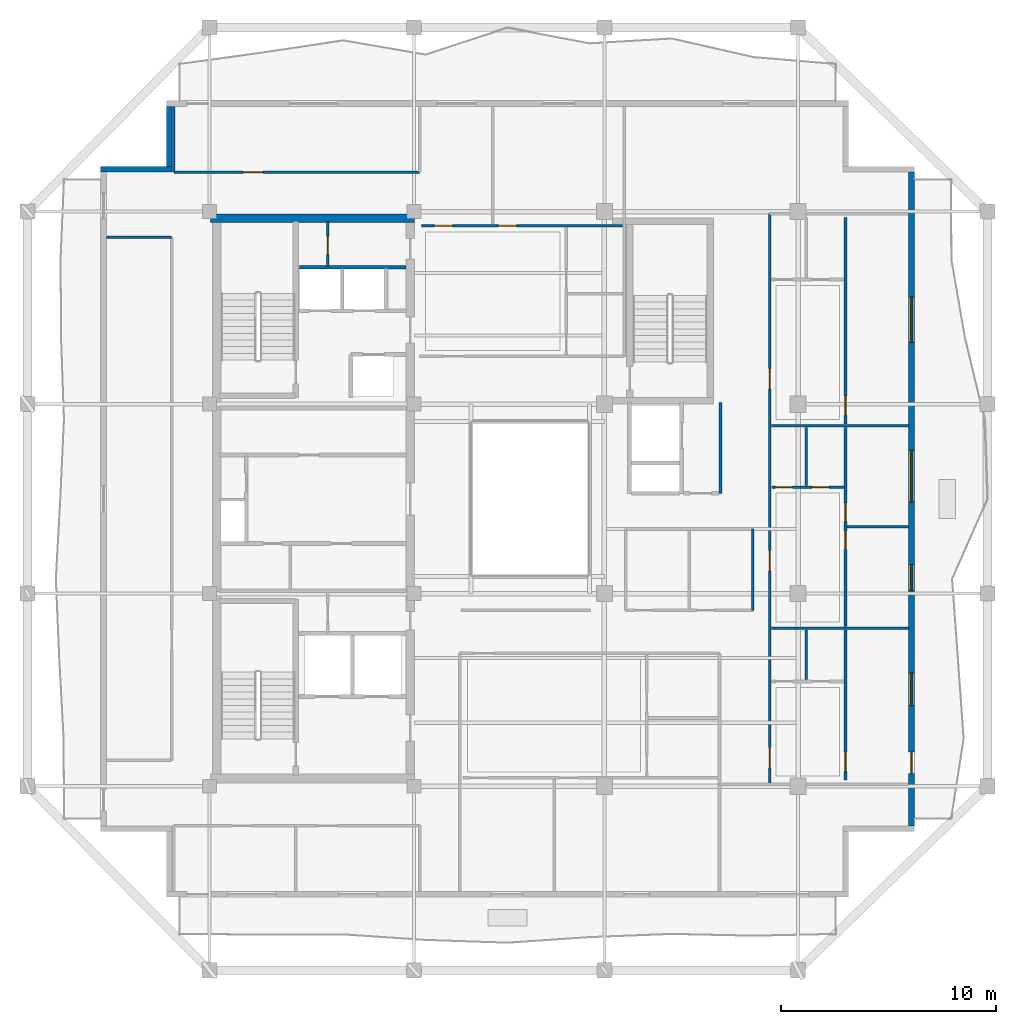
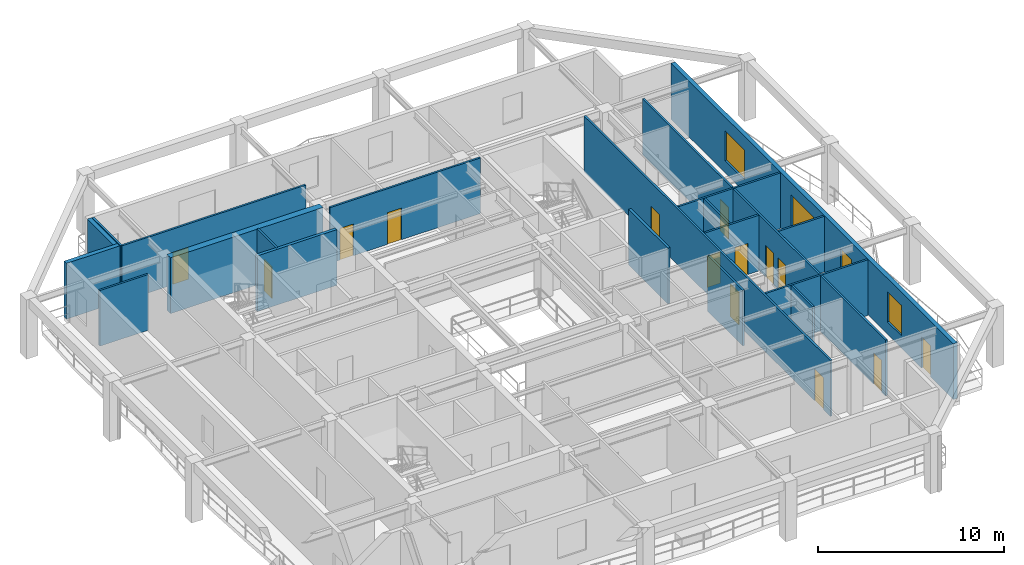
# One storey, part 5 of 10: 22 walls, 14 doors, 4 windows, 18 openings.
"""IFC4 building model written with IfcOpenShell, lengths in metres."""

from ifc_helpers import new_model, si_unit, direction, frame, frame_2d, origin, place, context, subcontext, project, spatial, rectangle, extrude, material, layer, layer_set, type_object, element, fill, save


model = new_model("IFC4")

# Units and contexts
model_context = context("Model", 3, precision=1e-05, world=origin(), true_north=direction((0.0, 1.0)))
body_context = subcontext(model_context, "Body", "Model", "MODEL_VIEW")
ifc_project = project(units=[si_unit("LENGTHUNIT", "METRE"), si_unit("AREAUNIT", "SQUARE_METRE"), si_unit("VOLUMEUNIT", "CUBIC_METRE"), si_unit("PLANEANGLEUNIT", "RADIAN"), si_unit("MASSUNIT", "GRAM", prefix="KILO")], contexts=[model_context])

# Site, building, storey
site_placement = place(None, origin())
site = spatial("IfcSite", under=ifc_project, at=site_placement, CompositionType="ELEMENT")
building_placement = place(site_placement, origin())
building = spatial("IfcBuilding", under=site, at=building_placement, Name="Kundavana Baori Tower", CompositionType="ELEMENT")
storey_placement = place(building_placement, frame((0.0, 0.0, 288.199951171875)))
storey = spatial("IfcBuildingStorey", under=building, at=storey_placement, Name="L71", CompositionType="ELEMENT", Elevation=288.199951171875)

# Wall
ifc_material_1 = material(Name="Concrete C50/60", Category="concrete")
ifc_layer_1 = layer(ifc_material_1, 0.39990234375, Name="WL-CORE-400")
ifc_layer_set_1 = layer_set([ifc_layer_1], Name="Concrete C50/60")
wall_type_1 = type_object("IfcWallType", Name="WL-CORE-400", PredefinedType="SHEAR", material=ifc_layer_set_1)
wall_1_placement = place(storey_placement, frame((15.5, 41.639892578125, 0.0), z_axis=(0.0, 0.0, 1.0), x_axis=(1.0, 0.0, 0.0)))
element("IfcWall", 1, at=wall_1_placement, inside=storey, type_object=wall_type_1, Name="L71 Offset Core North Shear Wall", PredefinedType="SHEAR", context=body_context, shape_type="SweptSolid", body=[
    extrude(rectangle(XDim=9.47998046875, YDim=0.39990234375, at=frame_2d((4.739990234375, 0.0))), origin(), (0.0, 0.0, 1.0), 3.66015625),
])

# Wall, openings, door, windows
ifc_material_2 = material(Name="Kiln-Fired Terracotta Brick-Slip Masonry on Concrete C40/50", Category="masonry")
ifc_layer_2 = layer(ifc_material_2, 0.260009765625, Name="WL-EXT-BRK-260")
ifc_layer_set_2 = layer_set([ifc_layer_2], Name="Kiln-Fired Terracotta Brick-Slip Masonry on Concrete C40/50")
wall_type_2 = type_object("IfcWallType", Name="WL-EXT-BRK-260", PredefinedType="SOLIDWALL", material=ifc_layer_set_2)
wall_2_placement = place(storey_placement, frame((48.070068359375, 13.409912109375, 0.0), z_axis=(0.0, 0.0, 1.0), x_axis=(0.0, 1.0, 0.0)))
wall_2 = element("IfcWall", 2, at=wall_2_placement, inside=storey, type_object=wall_type_2, Name="L71 Exterior Insulated Facade Wall 04", PredefinedType="SOLIDWALL", context=body_context, shape_type="SweptSolid", body=[
    extrude(rectangle(XDim=30.380126953125, YDim=0.260009765625, at=frame_2d((15.18994140625, 0.0))), origin(), (0.0, 0.0, 1.0), 3.66015625),
])
opening_1_placement = place(wall_2_placement, frame((2.429931640625, 0.0, 0.0)))
opening_1 = element("IfcOpeningElement", 3, at=opening_1_placement, cuts=wall_2, Name="Opening BD-1", PredefinedType="OPENING", context=body_context, shape_type="SweptSolid", body=[
    extrude(rectangle(XDim=1.0, YDim=2.050048828125, at=frame_2d((0.5, 1.02490234375))), frame((0.0, 0.14013671875, 0.0), z_axis=(0.0, -1.0, 0.0), x_axis=(1.0, 0.0, 0.0)), (0.0, 0.0, 1.0), 0.280029296875),
])
opening_2_placement = place(wall_2_placement, frame((5.590087890625, 0.0, 0.800048828125)))
opening_2 = element("IfcOpeningElement", 4, at=opening_2_placement, cuts=wall_2, Name="Opening W-02", PredefinedType="OPENING", context=body_context, shape_type="SweptSolid", body=[
    extrude(rectangle(XDim=1.5, YDim=2.0, at=frame_2d((0.75, 1.0))), frame((0.0, 0.14013671875, 0.0), z_axis=(0.0, -1.0, 0.0), x_axis=(1.0, 0.0, 0.0)), (0.0, 0.0, 1.0), 0.280029296875),
])
opening_3_placement = place(wall_2_placement, frame((10.93994140625, 0.0, 0.800048828125)))
opening_3 = element("IfcOpeningElement", 5, at=opening_3_placement, cuts=wall_2, Name="Opening W-03", PredefinedType="OPENING", context=body_context, shape_type="SweptSolid", body=[
    extrude(rectangle(XDim=1.199951171875, YDim=1.75, at=frame_2d((0.60009765625, 0.875))), frame((0.0, 0.14013671875, 0.0), z_axis=(0.0, -1.0, 0.0), x_axis=(1.0, 0.0, 0.0)), (0.0, 0.0, 1.0), 0.280029296875),
])
opening_4_placement = place(wall_2_placement, frame((15.0400390625, 0.0, 0.800048828125)))
opening_4 = element("IfcOpeningElement", 6, at=opening_4_placement, cuts=wall_2, Name="Opening W-04", PredefinedType="OPENING", context=body_context, shape_type="SweptSolid", body=[
    extrude(rectangle(XDim=2.39990234375, YDim=2.050048828125, at=frame_2d((1.199951171875, 1.02490234375))), frame((0.0, 0.14013671875, 0.0), z_axis=(0.0, -1.0, 0.0), x_axis=(1.0, 0.0, 0.0)), (0.0, 0.0, 1.0), 0.280029296875),
])
opening_5_placement = place(wall_2_placement, frame((22.465087890625, 0.0, 0.800048828125)))
opening_5 = element("IfcOpeningElement", 7, at=opening_5_placement, cuts=wall_2, Name="Opening W-05", PredefinedType="OPENING", context=body_context, shape_type="SweptSolid", body=[
    extrude(rectangle(XDim=2.10009765625, YDim=1.949951171875, at=frame_2d((1.050048828125, 0.97509765625))), frame((0.0, 0.14013671875, 0.0), z_axis=(0.0, -1.0, 0.0), x_axis=(1.0, 0.0, 0.0)), (0.0, 0.0, 1.0), 0.280029296875),
])
ifc_material_3 = material(Name="Architectural Patinated Bronze Metalwork")
door_type_1 = type_object("IfcDoorType", Name="DR-EXT-LOG-1000", OperationType="NOTDEFINED", PredefinedType="DOOR", material=ifc_material_3)
door_1_placement = place(opening_1_placement, frame((1.0, 0.0, 0.0), z_axis=(0.0, 0.0, 1.0), x_axis=(-1.0, 0.0, 0.0)))
door_1 = element("IfcDoor", 8, at=door_1_placement, inside=storey, type_object=door_type_1, Name="L71 Loggia Balcony Access Door E", OperationType="SINGLE_SWING_RIGHT", OverallHeight=2.050048828125, OverallWidth=1.0, PredefinedType="DOOR", context=body_context, shape_type="SweptSolid", body=[
    extrude(rectangle(XDim=1.0, YDim=2.050048828125, at=frame_2d((0.5, 1.02490234375))), frame((0.0, 0.02490234375, 0.0), z_axis=(0.0, -1.0, 0.0), x_axis=(1.0, 0.0, 0.0)), (0.0, 0.0, 1.0), 0.050048828125),
])
fill(opening_1, door_1)
ifc_material_4 = material(Name="Double-Glazed Solar-Control Low-E Insulated Glass", Category="glass")
window_type_1 = type_object("IfcWindowType", Name="WIN-LOG-1200x1750", PartitioningType="SINGLE_PANEL", PredefinedType="WINDOW", material=ifc_material_4)
window_1_placement = place(opening_3_placement, origin())
window_1 = element("IfcWindow", 9, at=window_1_placement, inside=storey, type_object=window_type_1, Name="L71 Recessed Loggia Window E-2", OverallHeight=1.75, OverallWidth=1.199951171875, PartitioningType="SINGLE_PANEL", PredefinedType="WINDOW", context=body_context, shape_type="SweptSolid", body=[
    extrude(rectangle(XDim=1.199951171875, YDim=1.75, at=frame_2d((0.60009765625, 0.875))), frame((0.0, 0.030029296875, 0.0), z_axis=(0.0, -1.0, 0.0), x_axis=(1.0, 0.0, 0.0)), (0.0, 0.0, 1.0), 0.06005859375),
])
fill(opening_3, window_1)
ifc_material_5 = material(Name="Double-Glazed Solar-Control Low-E Insulated Glass", Category="glass")
window_type_2 = type_object("IfcWindowType", Name="WIN-LOG-1500x2000", PartitioningType="SINGLE_PANEL", PredefinedType="WINDOW", material=ifc_material_5)
window_2_placement = place(opening_2_placement, origin())
window_2 = element("IfcWindow", 10, at=window_2_placement, inside=storey, type_object=window_type_2, Name="L71 Recessed Loggia Window E-1", OverallHeight=2.0, OverallWidth=1.5, PartitioningType="SINGLE_PANEL", PredefinedType="WINDOW", context=body_context, shape_type="SweptSolid", body=[
    extrude(rectangle(XDim=1.5, YDim=2.0, at=frame_2d((0.75, 1.0))), frame((0.0, 0.030029296875, 0.0), z_axis=(0.0, -1.0, 0.0), x_axis=(1.0, 0.0, 0.0)), (0.0, 0.0, 1.0), 0.06005859375),
])
fill(opening_2, window_2)
ifc_material_6 = material(Name="Double-Glazed Solar-Control Low-E Insulated Glass", Category="glass")
window_type_3 = type_object("IfcWindowType", Name="WIN-LOG-2100x1950", PartitioningType="SINGLE_PANEL", PredefinedType="WINDOW", material=ifc_material_6)
window_3_placement = place(opening_5_placement, origin())
window_3 = element("IfcWindow", 11, at=window_3_placement, inside=storey, type_object=window_type_3, Name="L71 Recessed Loggia Window E-4", OverallHeight=1.949951171875, OverallWidth=2.10009765625, PartitioningType="SINGLE_PANEL", PredefinedType="WINDOW", context=body_context, shape_type="SweptSolid", body=[
    extrude(rectangle(XDim=2.10009765625, YDim=1.949951171875, at=frame_2d((1.050048828125, 0.97509765625))), frame((0.0, 0.030029296875, 0.0), z_axis=(0.0, -1.0, 0.0), x_axis=(1.0, 0.0, 0.0)), (0.0, 0.0, 1.0), 0.06005859375),
])
fill(opening_5, window_3)
ifc_material_7 = material(Name="Double-Glazed Solar-Control Low-E Insulated Glass", Category="glass")
window_type_4 = type_object("IfcWindowType", Name="WIN-LOG-2400x2050", PartitioningType="SINGLE_PANEL", PredefinedType="WINDOW", material=ifc_material_7)
window_4_placement = place(opening_4_placement, origin())
window_4 = element("IfcWindow", 12, at=window_4_placement, inside=storey, type_object=window_type_4, Name="L71 Recessed Loggia Window E-3", OverallHeight=2.050048828125, OverallWidth=2.39990234375, PartitioningType="SINGLE_PANEL", PredefinedType="WINDOW", context=body_context, shape_type="SweptSolid", body=[
    extrude(rectangle(XDim=2.39990234375, YDim=2.050048828125, at=frame_2d((1.199951171875, 1.02490234375))), frame((0.0, 0.030029296875, 0.0), z_axis=(0.0, -1.0, 0.0), x_axis=(1.0, 0.0, 0.0)), (0.0, 0.0, 1.0), 0.06005859375),
])
fill(opening_4, window_4)

# Walls
wall_3_placement = place(storey_placement, frame((13.580078125, 46.840087890625, 0.0), z_axis=(0.0, 0.0, 1.0), x_axis=(0.0, -1.0, 0.0)))
element("IfcWall", 13, at=wall_3_placement, inside=storey, type_object=wall_type_2, Name="L71 Exterior Insulated Facade Wall 08", PredefinedType="SOLIDWALL", context=body_context, shape_type="SweptSolid", body=[
    extrude(rectangle(XDim=2.7900390625, YDim=0.260009765625, at=frame_2d((1.39501953125, 0.0))), origin(), (0.0, 0.0, 1.0), 3.66015625),
])
wall_4_placement = place(storey_placement, frame((13.7099609375, 43.919921875, 0.0), z_axis=(0.0, 0.0, 1.0), x_axis=(-1.0, 0.0, 0.0)))
element("IfcWall", 14, at=wall_4_placement, inside=storey, type_object=wall_type_2, Name="L71 Exterior Insulated Facade Wall 09", PredefinedType="SOLIDWALL", context=body_context, shape_type="SweptSolid", body=[
    extrude(rectangle(XDim=3.31005859375, YDim=0.260009765625, at=frame_2d((1.655029296875, 0.0))), origin(), (0.0, 0.0, 1.0), 3.66015625),
])

# Wall, opening, door
ifc_material_8 = material(Name="Acoustic Gypsum Plasterboard on Galvanised Steel Studs", Category="steel")
ifc_layer_3 = layer(ifc_material_8, 0.1201171875, Name="WL-PART-120")
ifc_layer_set_3 = layer_set([ifc_layer_3], Name="Acoustic Gypsum Plasterboard on Galvanised Steel Studs")
wall_type_3 = type_object("IfcWallType", Name="WL-PART-120", PredefinedType="PARTITIONING", material=ifc_layer_set_3)
wall_5_placement = place(storey_placement, frame((20.949951171875, 39.39990234375, 0.0), z_axis=(0.0, 0.0, 1.0), x_axis=(0.0, 1.0, 0.0)))
wall_5 = element("IfcWall", 15, at=wall_5_placement, inside=storey, type_object=wall_type_3, Name="WL-L71-CSRV-D2", PredefinedType="PARTITIONING", context=body_context, shape_type="SweptSolid", body=[
    extrude(rectangle(XDim=2.080078125, YDim=0.1201171875, at=frame_2d((1.0400390625, 0.0))), origin(), (0.0, 0.0, 1.0), 3.66015625),
])
opening_6_placement = place(wall_5_placement, frame((0.550048828125, 0.0, 0.0)))
opening_6 = element("IfcOpeningElement", 16, at=opening_6_placement, cuts=wall_5, Name="Opening FD-085", PredefinedType="OPENING", context=body_context, shape_type="SweptSolid", body=[
    extrude(rectangle(XDim=0.85009765625, YDim=2.06005859375, at=frame_2d((0.425048828125, 1.030029296875))), frame((0.0, 0.070068359375, 0.0), z_axis=(0.0, -1.0, 0.0), x_axis=(1.0, 0.0, 0.0)), (0.0, 0.0, 1.0), 0.14013671875),
])
ifc_material_9 = material(Name="Galvanised Steel Fire-Rated Door Leaf", Category="steel")
door_type_2 = type_object("IfcDoorType", Name="DR-FD60-850", OperationType="NOTDEFINED", PredefinedType="DOOR", material=ifc_material_9)
door_2_placement = place(opening_6_placement, origin())
door_2 = element("IfcDoor", 17, at=door_2_placement, inside=storey, type_object=door_type_2, Name="DR-L71-CSRV1", OperationType="SINGLE_SWING_RIGHT", OverallHeight=2.06005859375, OverallWidth=0.85009765625, PredefinedType="DOOR", context=body_context, shape_type="SweptSolid", body=[
    extrude(rectangle(XDim=0.85009765625, YDim=2.06005859375, at=frame_2d((0.425048828125, 1.030029296875))), frame((0.0, 0.02490234375, 0.0), z_axis=(0.0, -1.0, 0.0), x_axis=(1.0, 0.0, 0.0)), (0.0, 0.0, 1.0), 0.050048828125),
])
fill(opening_6, door_2)

wall_6_placement = place(storey_placement, frame((13.800048828125, 43.780029296875, 0.0), z_axis=(0.0, 0.0, 1.0), x_axis=(1.0, 0.0, 0.0)))
wall_6 = element("IfcWall", 18, at=wall_6_placement, inside=storey, type_object=wall_type_3, Name="WL-L71-RNC", PredefinedType="PARTITIONING", context=body_context, shape_type="SweptSolid", body=[
    extrude(rectangle(XDim=11.419921875, YDim=0.1201171875, at=frame_2d((5.7099609375, 0.0))), origin(), (0.0, 0.0, 1.0), 3.66015625),
])
opening_7_placement = place(wall_6_placement, frame((3.199951171875, 0.0, 0.0)))
opening_7 = element("IfcOpeningElement", 19, at=opening_7_placement, cuts=wall_6, Name="Opening ID-095", PredefinedType="OPENING", context=body_context, shape_type="SweptSolid", body=[
    extrude(rectangle(XDim=0.949951171875, YDim=2.080078125, at=frame_2d((0.47509765625, 1.0400390625))), frame((0.0, 0.070068359375, 0.0), z_axis=(0.0, -1.0, 0.0), x_axis=(1.0, 0.0, 0.0)), (0.0, 0.0, 1.0), 0.14013671875),
])
ifc_material_10 = material(Name="Engineered Teak Solid-Core Timber Veneer", Category="wood")
door_type_3 = type_object("IfcDoorType", Name="DR-INT-950", OperationType="NOTDEFINED", PredefinedType="DOOR", material=ifc_material_10)
door_3_placement = place(opening_7_placement, origin())
door_3 = element("IfcDoor", 20, at=door_3_placement, inside=storey, type_object=door_type_3, Name="DR-L71-RMNW", OperationType="SINGLE_SWING_RIGHT", OverallHeight=2.080078125, OverallWidth=0.949951171875, PredefinedType="DOOR", context=body_context, shape_type="SweptSolid", body=[
    extrude(rectangle(XDim=0.949951171875, YDim=2.080078125, at=frame_2d((0.47509765625, 1.0400390625))), frame((0.0, 0.02490234375, 0.0), z_axis=(0.0, -1.0, 0.0), x_axis=(1.0, 0.0, 0.0)), (0.0, 0.0, 1.0), 0.050048828125),
])
fill(opening_7, door_3)

# Walls
wall_7_placement = place(storey_placement, frame((13.800048828125, 43.780029296875, 0.0), z_axis=(0.0, 0.0, 1.0), x_axis=(0.0, 1.0, 0.0)))
element("IfcWall", 21, at=wall_7_placement, inside=storey, type_object=wall_type_3, Name="WL-L71-RNCW", PredefinedType="PARTITIONING", context=body_context, shape_type="SweptSolid", body=[
    extrude(rectangle(XDim=3.0400390625, YDim=0.1201171875, at=frame_2d((1.52001953125, 0.0))), origin(), (0.0, 0.0, 1.0), 3.66015625),
])
wall_8_placement = place(storey_placement, frame((10.679931640625, 40.75, 0.0), z_axis=(0.0, 0.0, 1.0), x_axis=(1.0, 0.0, 0.0)))
element("IfcWall", 22, at=wall_8_placement, inside=storey, type_object=wall_type_3, Name="WL-L71-RWN", PredefinedType="PARTITIONING", context=body_context, shape_type="SweptSolid", body=[
    extrude(rectangle(XDim=3.02001953125, YDim=0.1201171875, at=frame_2d((1.510009765625, 0.0))), origin(), (0.0, 0.0, 1.0), 3.66015625),
])

# Wall, openings, doors
wall_9_placement = place(storey_placement, frame((25.300048828125, 41.2900390625, 0.0), z_axis=(0.0, 0.0, 1.0), x_axis=(1.0, 0.0, 0.0)))
wall_9 = element("IfcWall", 23, at=wall_9_placement, inside=storey, type_object=wall_type_3, Name="WL-L71-N1-HZ", PredefinedType="PARTITIONING", context=body_context, shape_type="SweptSolid", body=[
    extrude(rectangle(XDim=9.33984375, YDim=0.1201171875, at=frame_2d((4.669921875, 0.0))), origin(), (0.0, 0.0, 1.0), 3.66015625),
])
opening_8_placement = place(wall_9_placement, frame((0.60009765625, 0.0, 0.0)))
opening_8 = element("IfcOpeningElement", 24, at=opening_8_placement, cuts=wall_9, Name="Opening ID-085", PredefinedType="OPENING", context=body_context, shape_type="SweptSolid", body=[
    extrude(rectangle(XDim=0.85009765625, YDim=2.080078125, at=frame_2d((0.425048828125, 1.0400390625))), frame((0.0, 0.070068359375, 0.0), z_axis=(0.0, -1.0, 0.0), x_axis=(1.0, 0.0, 0.0)), (0.0, 0.0, 1.0), 0.14013671875),
])
opening_9_placement = place(wall_9_placement, frame((3.572998046875, 0.0, 0.0)))
opening_9 = element("IfcOpeningElement", 25, at=opening_9_placement, cuts=wall_9, Name="Opening ID-085", PredefinedType="OPENING", context=body_context, shape_type="SweptSolid", body=[
    extrude(rectangle(XDim=0.85009765625, YDim=2.080078125, at=frame_2d((0.425048828125, 1.0400390625))), frame((0.0, 0.070068359375, 0.0), z_axis=(0.0, -1.0, 0.0), x_axis=(1.0, 0.0, 0.0)), (0.0, 0.0, 1.0), 0.14013671875),
])
ifc_material_11 = material(Name="Engineered Teak Solid-Core Timber Veneer", Category="wood")
door_type_4 = type_object("IfcDoorType", Name="DR-INT-850", OperationType="NOTDEFINED", PredefinedType="DOOR", material=ifc_material_11)
door_4_placement = place(opening_8_placement, origin())
door_4 = element("IfcDoor", 26, at=door_4_placement, inside=storey, type_object=door_type_4, Name="DR-L71-N1-B1", OperationType="SINGLE_SWING_LEFT", OverallHeight=2.080078125, OverallWidth=0.85009765625, PredefinedType="DOOR", context=body_context, shape_type="SweptSolid", body=[
    extrude(rectangle(XDim=0.85009765625, YDim=2.080078125, at=frame_2d((0.425048828125, 1.0400390625))), frame((0.0, 0.02490234375, 0.0), z_axis=(0.0, -1.0, 0.0), x_axis=(1.0, 0.0, 0.0)), (0.0, 0.0, 1.0), 0.050048828125),
])
fill(opening_8, door_4)
door_5_placement = place(opening_9_placement, origin())
door_5 = element("IfcDoor", 27, at=door_5_placement, inside=storey, type_object=door_type_4, Name="DR-L71-N1-B2", OperationType="SINGLE_SWING_RIGHT", OverallHeight=2.080078125, OverallWidth=0.85009765625, PredefinedType="DOOR", context=body_context, shape_type="SweptSolid", body=[
    extrude(rectangle(XDim=0.85009765625, YDim=2.080078125, at=frame_2d((0.425048828125, 1.0400390625))), frame((0.0, 0.02490234375, 0.0), z_axis=(0.0, -1.0, 0.0), x_axis=(1.0, 0.0, 0.0)), (0.0, 0.0, 1.0), 0.050048828125),
])
fill(opening_9, door_5)

wall_10_placement = place(storey_placement, frame((41.47998046875, 15.35009765625, 0.0), z_axis=(0.0, 0.0, 1.0), x_axis=(0.0, 1.0, 0.0)))
wall_10 = element("IfcWall", 28, at=wall_10_placement, inside=storey, type_object=wall_type_3, Name="WL-L71-RE", PredefinedType="PARTITIONING", context=body_context, shape_type="SweptSolid", body=[
    extrude(rectangle(XDim=26.5, YDim=0.1201171875, at=frame_2d((13.25, 0.0))), origin(), (0.0, 0.0, 1.0), 3.66015625),
])
opening_10_placement = place(wall_10_placement, frame((0.75, 0.0, 0.0)))
opening_10 = element("IfcOpeningElement", 29, at=opening_10_placement, cuts=wall_10, Name="Opening FD-095", PredefinedType="OPENING", context=body_context, shape_type="SweptSolid", body=[
    extrude(rectangle(XDim=0.949951171875, YDim=2.10009765625, at=frame_2d((0.47509765625, 1.050048828125))), frame((0.0, 0.070068359375, 0.0), z_axis=(0.0, -1.0, 0.0), x_axis=(1.0, 0.0, 0.0)), (0.0, 0.0, 1.0), 0.14013671875),
])
opening_11_placement = place(wall_10_placement, frame((9.89990234375, 0.0, 0.0)))
opening_11 = element("IfcOpeningElement", 30, at=opening_11_placement, cuts=wall_10, Name="Opening FD-095", PredefinedType="OPENING", context=body_context, shape_type="SweptSolid", body=[
    extrude(rectangle(XDim=0.949951171875, YDim=2.10009765625, at=frame_2d((0.47509765625, 1.050048828125))), frame((0.0, 0.070068359375, 0.0), z_axis=(0.0, -1.0, 0.0), x_axis=(1.0, 0.0, 0.0)), (0.0, 0.0, 1.0), 0.14013671875),
])
opening_12_placement = place(wall_10_placement, frame((18.35009765625, 0.0, 0.0)))
opening_12 = element("IfcOpeningElement", 31, at=opening_12_placement, cuts=wall_10, Name="Opening FD-095", PredefinedType="OPENING", context=body_context, shape_type="SweptSolid", body=[
    extrude(rectangle(XDim=0.949951171875, YDim=2.10009765625, at=frame_2d((0.47509765625, 1.050048828125))), frame((0.0, 0.070068359375, 0.0), z_axis=(0.0, -1.0, 0.0), x_axis=(1.0, 0.0, 0.0)), (0.0, 0.0, 1.0), 0.14013671875),
])
ifc_material_12 = material(Name="Engineered Teak Fire-Rated Timber Door Leaf", Category="wood")
door_type_5 = type_object("IfcDoorType", Name="DR-FD60-950", OperationType="NOTDEFINED", PredefinedType="DOOR", material=ifc_material_12)
door_6_placement = place(opening_10_placement, origin())
door_6 = element("IfcDoor", 32, at=door_6_placement, inside=storey, type_object=door_type_5, Name="DR-L71-E1-ENT", OperationType="SINGLE_SWING_LEFT", OverallHeight=2.10009765625, OverallWidth=0.949951171875, PredefinedType="DOOR", context=body_context, shape_type="SweptSolid", body=[
    extrude(rectangle(XDim=0.949951171875, YDim=2.10009765625, at=frame_2d((0.47509765625, 1.050048828125))), frame((0.0, 0.02490234375, 0.0), z_axis=(0.0, -1.0, 0.0), x_axis=(1.0, 0.0, 0.0)), (0.0, 0.0, 1.0), 0.050048828125),
])
fill(opening_10, door_6)
door_7_placement = place(opening_11_placement, origin())
door_7 = element("IfcDoor", 33, at=door_7_placement, inside=storey, type_object=door_type_5, Name="DR-L71-E2-ENT", OperationType="SINGLE_SWING_LEFT", OverallHeight=2.10009765625, OverallWidth=0.949951171875, PredefinedType="DOOR", context=body_context, shape_type="SweptSolid", body=[
    extrude(rectangle(XDim=0.949951171875, YDim=2.10009765625, at=frame_2d((0.47509765625, 1.050048828125))), frame((0.0, 0.02490234375, 0.0), z_axis=(0.0, -1.0, 0.0), x_axis=(1.0, 0.0, 0.0)), (0.0, 0.0, 1.0), 0.050048828125),
])
fill(opening_11, door_7)
door_8_placement = place(opening_12_placement, origin())
door_8 = element("IfcDoor", 34, at=door_8_placement, inside=storey, type_object=door_type_5, Name="DR-L71-E3-ENT", OperationType="SINGLE_SWING_LEFT", OverallHeight=2.10009765625, OverallWidth=0.949951171875, PredefinedType="DOOR", context=body_context, shape_type="SweptSolid", body=[
    extrude(rectangle(XDim=0.949951171875, YDim=2.10009765625, at=frame_2d((0.47509765625, 1.050048828125))), frame((0.0, 0.02490234375, 0.0), z_axis=(0.0, -1.0, 0.0), x_axis=(1.0, 0.0, 0.0)), (0.0, 0.0, 1.0), 0.050048828125),
])
fill(opening_12, door_8)

# Wall, opening, door
wall_11_placement = place(storey_placement, frame((45.00390625, 15.530029296875, 0.0), z_axis=(0.0, 0.0, 1.0), x_axis=(0.0, 1.0, 0.0)))
wall_11 = element("IfcWall", 35, at=wall_11_placement, inside=storey, type_object=wall_type_3, Name="WL-L71-E1-VT", PredefinedType="PARTITIONING", context=body_context, shape_type="SweptSolid", body=[
    extrude(rectangle(XDim=6.989990234375, YDim=0.1201171875, at=frame_2d((3.4951171875, 0.0))), origin(), (0.0, 0.0, 1.0), 3.66015625),
])
opening_13_placement = place(wall_11_placement, frame((0.39990234375, 0.0, 0.0)))
opening_13 = element("IfcOpeningElement", 36, at=opening_13_placement, cuts=wall_11, Name="Opening ID-090", PredefinedType="OPENING", context=body_context, shape_type="SweptSolid", body=[
    extrude(rectangle(XDim=0.89990234375, YDim=2.080078125, at=frame_2d((0.449951171875, 1.0400390625))), frame((0.0, 0.070068359375, 0.0), z_axis=(0.0, -1.0, 0.0), x_axis=(1.0, 0.0, 0.0)), (0.0, 0.0, 1.0), 0.14013671875),
])
ifc_material_13 = material(Name="Engineered Teak Solid-Core Timber Veneer", Category="wood")
door_type_6 = type_object("IfcDoorType", Name="DR-INT-900", OperationType="NOTDEFINED", PredefinedType="DOOR", material=ifc_material_13)
door_9_placement = place(opening_13_placement, origin())
door_9 = element("IfcDoor", 37, at=door_9_placement, inside=storey, type_object=door_type_6, Name="DR-L71-E1-B1", OperationType="SINGLE_SWING_LEFT", OverallHeight=2.080078125, OverallWidth=0.89990234375, PredefinedType="DOOR", context=body_context, shape_type="SweptSolid", body=[
    extrude(rectangle(XDim=0.89990234375, YDim=2.080078125, at=frame_2d((0.449951171875, 1.0400390625))), frame((0.0, 0.02490234375, 0.0), z_axis=(0.0, -1.0, 0.0), x_axis=(1.0, 0.0, 0.0)), (0.0, 0.0, 1.0), 0.050048828125),
])
fill(opening_13, door_9)

# Wall
wall_12_placement = place(storey_placement, frame((41.56005859375, 22.60009765625, 0.0), z_axis=(0.0, 0.0, 1.0), x_axis=(1.0, 0.0, 0.0)))
element("IfcWall", 38, at=wall_12_placement, inside=storey, type_object=wall_type_3, Name="WL-L71-RED1", PredefinedType="PARTITIONING", context=body_context, shape_type="SweptSolid", body=[
    extrude(rectangle(XDim=6.35986328125, YDim=0.1201171875, at=frame_2d((3.179931640625, 0.0))), origin(), (0.0, 0.0, 1.0), 3.66015625),
])

# Wall, openings, doors
wall_13_placement = place(storey_placement, frame((45.00390625, 22.679931640625, 0.0), z_axis=(0.0, 0.0, 1.0), x_axis=(0.0, 1.0, 0.0)))
wall_13 = element("IfcWall", 39, at=wall_13_placement, inside=storey, type_object=wall_type_3, Name="WL-L71-E2-VT", PredefinedType="PARTITIONING", context=body_context, shape_type="SweptSolid", body=[
    extrude(rectangle(XDim=9.239990234375, YDim=0.1201171875, at=frame_2d((4.6201171875, 0.0))), origin(), (0.0, 0.0, 1.0), 3.66015625),
])
opening_14_placement = place(wall_13_placement, frame((3.570068359375, 0.0, 0.0)))
opening_14 = element("IfcOpeningElement", 40, at=opening_14_placement, cuts=wall_13, Name="Opening ID-085", PredefinedType="OPENING", context=body_context, shape_type="SweptSolid", body=[
    extrude(rectangle(XDim=0.85009765625, YDim=2.080078125, at=frame_2d((0.425048828125, 1.0400390625))), frame((0.0, 0.070068359375, 0.0), z_axis=(0.0, -1.0, 0.0), x_axis=(1.0, 0.0, 0.0)), (0.0, 0.0, 1.0), 0.14013671875),
])
opening_15_placement = place(wall_13_placement, frame((4.8701171875, 0.0, 0.0)))
opening_15 = element("IfcOpeningElement", 41, at=opening_15_placement, cuts=wall_13, Name="Opening ID-085", PredefinedType="OPENING", context=body_context, shape_type="SweptSolid", body=[
    extrude(rectangle(XDim=0.85009765625, YDim=2.080078125, at=frame_2d((0.425048828125, 1.0400390625))), frame((0.0, 0.070068359375, 0.0), z_axis=(0.0, -1.0, 0.0), x_axis=(1.0, 0.0, 0.0)), (0.0, 0.0, 1.0), 0.14013671875),
])
door_10_placement = place(opening_14_placement, origin())
door_10 = element("IfcDoor", 42, at=door_10_placement, inside=storey, type_object=door_type_4, Name="DR-L71-E2-B1", OperationType="SINGLE_SWING_LEFT", OverallHeight=2.080078125, OverallWidth=0.85009765625, PredefinedType="DOOR", context=body_context, shape_type="SweptSolid", body=[
    extrude(rectangle(XDim=0.85009765625, YDim=2.080078125, at=frame_2d((0.425048828125, 1.0400390625))), frame((0.0, 0.02490234375, 0.0), z_axis=(0.0, -1.0, 0.0), x_axis=(1.0, 0.0, 0.0)), (0.0, 0.0, 1.0), 0.050048828125),
])
fill(opening_14, door_10)
door_11_placement = place(opening_15_placement, origin())
door_11 = element("IfcDoor", 43, at=door_11_placement, inside=storey, type_object=door_type_4, Name="DR-L71-E2-B2", OperationType="SINGLE_SWING_RIGHT", OverallHeight=2.080078125, OverallWidth=0.85009765625, PredefinedType="DOOR", context=body_context, shape_type="SweptSolid", body=[
    extrude(rectangle(XDim=0.85009765625, YDim=2.080078125, at=frame_2d((0.425048828125, 1.0400390625))), frame((0.0, 0.02490234375, 0.0), z_axis=(0.0, -1.0, 0.0), x_axis=(1.0, 0.0, 0.0)), (0.0, 0.0, 1.0), 0.050048828125),
])
fill(opening_15, door_11)

# Walls
wall_14_placement = place(storey_placement, frame((45.083984375, 27.300048828125, 0.0), z_axis=(0.0, 0.0, 1.0), x_axis=(1.0, 0.0, 0.0)))
element("IfcWall", 44, at=wall_14_placement, inside=storey, type_object=wall_type_3, Name="WL-L71-E2-BDH", PredefinedType="PARTITIONING", context=body_context, shape_type="SweptSolid", body=[
    extrude(rectangle(XDim=2.8359375, YDim=0.1201171875, at=frame_2d((1.41796875, 0.0))), origin(), (0.0, 0.0, 1.0), 3.66015625),
])
wall_15_placement = place(storey_placement, frame((41.56005859375, 32.0, 0.0), z_axis=(0.0, 0.0, 1.0), x_axis=(1.0, 0.0, 0.0)))
element("IfcWall", 45, at=wall_15_placement, inside=storey, type_object=wall_type_3, Name="WL-L71-RED2", PredefinedType="PARTITIONING", context=body_context, shape_type="SweptSolid", body=[
    extrude(rectangle(XDim=6.35986328125, YDim=0.1201171875, at=frame_2d((3.179931640625, 0.0))), origin(), (0.0, 0.0, 1.0), 3.66015625),
])

# Wall, opening, door
wall_16_placement = place(storey_placement, frame((45.00390625, 32.080078125, 0.0), z_axis=(0.0, 0.0, 1.0), x_axis=(0.0, 1.0, 0.0)))
wall_16 = element("IfcWall", 46, at=wall_16_placement, inside=storey, type_object=wall_type_3, Name="WL-L71-E3-VT", PredefinedType="PARTITIONING", context=body_context, shape_type="SweptSolid", body=[
    extrude(rectangle(XDim=9.58984375, YDim=0.1201171875, at=frame_2d((4.794921875, 0.0))), origin(), (0.0, 0.0, 1.0), 3.66015625),
])
opening_16_placement = place(wall_16_placement, frame((0.39990234375, 0.0, 0.0)))
opening_16 = element("IfcOpeningElement", 47, at=opening_16_placement, cuts=wall_16, Name="Opening ID-090", PredefinedType="OPENING", context=body_context, shape_type="SweptSolid", body=[
    extrude(rectangle(XDim=0.89990234375, YDim=2.080078125, at=frame_2d((0.449951171875, 1.0400390625))), frame((0.0, 0.070068359375, 0.0), z_axis=(0.0, -1.0, 0.0), x_axis=(1.0, 0.0, 0.0)), (0.0, 0.0, 1.0), 0.14013671875),
])
door_12_placement = place(opening_16_placement, origin())
door_12 = element("IfcDoor", 48, at=door_12_placement, inside=storey, type_object=door_type_6, Name="DR-L71-E3-B1", OperationType="SINGLE_SWING_LEFT", OverallHeight=2.080078125, OverallWidth=0.89990234375, PredefinedType="DOOR", context=body_context, shape_type="SweptSolid", body=[
    extrude(rectangle(XDim=0.89990234375, YDim=2.080078125, at=frame_2d((0.449951171875, 1.0400390625))), frame((0.0, 0.02490234375, 0.0), z_axis=(0.0, -1.0, 0.0), x_axis=(1.0, 0.0, 0.0)), (0.0, 0.0, 1.0), 0.050048828125),
])
fill(opening_16, door_12)

# Walls
wall_17_placement = place(storey_placement, frame((40.699951171875, 23.419921875, 0.0), z_axis=(0.0, 0.0, 1.0), x_axis=(0.0, 1.0, 0.0)))
element("IfcWall", 49, at=wall_17_placement, inside=storey, type_object=wall_type_3, Name="WL-L71-ALE", PredefinedType="PARTITIONING", context=body_context, shape_type="SweptSolid", body=[
    extrude(rectangle(XDim=3.780029296875, YDim=0.1201171875, at=frame_2d((1.89013671875, 0.0))), origin(), (0.0, 0.0, 1.0), 3.66015625),
])
ifc_material_14 = material(Name="Fire-Rated Gypsum Drywall on Galvanised Steel Studs", Category="steel")
ifc_layer_4 = layer(ifc_material_14, 0.14990234375, Name="WL-PART-150")
ifc_layer_set_4 = layer_set([ifc_layer_4], Name="Fire-Rated Gypsum Drywall on Galvanised Steel Studs")
wall_type_4 = type_object("IfcWallType", Name="WL-PART-150", PredefinedType="PARTITIONING", material=ifc_layer_set_4)
wall_18_placement = place(storey_placement, frame((39.199951171875, 28.860107421875, 0.0), z_axis=(0.0, 0.0, 1.0), x_axis=(0.0, 1.0, 0.0)))
element("IfcWall", 50, at=wall_18_placement, inside=storey, type_object=wall_type_4, Name="WL-L71-SVLOB-E", PredefinedType="PARTITIONING", context=body_context, shape_type="SweptSolid", body=[
    extrude(rectangle(XDim=4.219970703125, YDim=0.14990234375, at=frame_2d((2.10986328125, 0.0))), origin(), (0.0, 0.0, 1.0), 3.66015625),
])
ifc_material_15 = material(Name="Autoclaved Aerated Concrete Blockwork Masonry", Category="masonry")
ifc_layer_5 = layer(ifc_material_15, 0.179931640625, Name="WL-SHAFT-180")
ifc_layer_set_5 = layer_set([ifc_layer_5], Name="Autoclaved Aerated Concrete Blockwork Masonry")
wall_type_5 = type_object("IfcWallType", Name="WL-SHAFT-180", PredefinedType="SOLIDWALL", material=ifc_layer_set_5)
wall_19_placement = place(storey_placement, frame((19.639892578125, 39.360107421875, 0.0), z_axis=(0.0, 0.0, 1.0), x_axis=(1.0, 0.0, 0.0)))
element("IfcWall", 51, at=wall_19_placement, inside=storey, type_object=wall_type_5, Name="WL-L71-HRLOB-TOP", PredefinedType="SOLIDWALL", context=body_context, shape_type="SweptSolid", body=[
    extrude(rectangle(XDim=4.940185546875, YDim=0.179931640625, at=frame_2d((2.47021484375, 0.0))), origin(), (0.0, 0.0, 1.0), 3.66015625),
])
ifc_material_16 = material(Name="Autoclaved Aerated Concrete Blockwork Masonry", Category="masonry")
ifc_layer_6 = layer(ifc_material_16, 0.125, Name="WL-WET-120")
ifc_layer_set_6 = layer_set([ifc_layer_6], Name="Autoclaved Aerated Concrete Blockwork Masonry")
wall_type_6 = type_object("IfcWallType", Name="WL-WET-120", PredefinedType="PLUMBINGWALL", material=ifc_layer_set_6)
wall_20_placement = place(storey_placement, frame((43.18505859375, 20.199951171875, 0.0), z_axis=(0.0, 0.0, 1.0), x_axis=(0.0, 1.0, 0.0)))
element("IfcWall", 52, at=wall_20_placement, inside=storey, type_object=wall_type_6, Name="WL-L71-E1-BV", PredefinedType="PLUMBINGWALL", context=body_context, shape_type="SweptSolid", body=[
    extrude(rectangle(XDim=2.320068359375, YDim=0.125, at=frame_2d((1.16015625, 0.0))), origin(), (0.0, 0.0, 1.0), 3.66015625),
])

# Wall, openings, doors
wall_21_placement = place(storey_placement, frame((41.580078125, 29.14794921875, 0.0), z_axis=(0.0, 0.0, 1.0), x_axis=(1.0, 0.0, 0.0)))
wall_21 = element("IfcWall", 53, at=wall_21_placement, inside=storey, type_object=wall_type_6, Name="WL-L71-E2-KH", PredefinedType="PLUMBINGWALL", context=body_context, shape_type="SweptSolid", body=[
    extrude(rectangle(XDim=3.343994140625, YDim=0.125, at=frame_2d((1.671875, 0.0))), origin(), (0.0, 0.0, 1.0), 3.66015625),
])
opening_17_placement = place(wall_21_placement, frame((0.159912109375, 0.0, 0.0)))
opening_17 = element("IfcOpeningElement", 54, at=opening_17_placement, cuts=wall_21, Name="Opening WD-080", PredefinedType="OPENING", context=body_context, shape_type="SweptSolid", body=[
    extrude(rectangle(XDim=0.800048828125, YDim=2.050048828125, at=frame_2d((0.39990234375, 1.02490234375))), frame((0.0, 0.072509765625, 0.0), z_axis=(0.0, -1.0, 0.0), x_axis=(1.0, 0.0, 0.0)), (0.0, 0.0, 1.0), 0.14501953125),
])
opening_18_placement = place(wall_21_placement, frame((1.864990234375, 0.0, 0.0)))
opening_18 = element("IfcOpeningElement", 55, at=opening_18_placement, cuts=wall_21, Name="Opening WD-080", PredefinedType="OPENING", context=body_context, shape_type="SweptSolid", body=[
    extrude(rectangle(XDim=0.800048828125, YDim=2.050048828125, at=frame_2d((0.39990234375, 1.02490234375))), frame((0.0, 0.072509765625, 0.0), z_axis=(0.0, -1.0, 0.0), x_axis=(1.0, 0.0, 0.0)), (0.0, 0.0, 1.0), 0.14501953125),
])
ifc_material_17 = material(Name="Engineered Teak Solid-Core Timber Veneer", Category="wood")
door_type_7 = type_object("IfcDoorType", Name="DR-WET-800", OperationType="NOTDEFINED", PredefinedType="DOOR", material=ifc_material_17)
door_13_placement = place(opening_17_placement, origin())
door_13 = element("IfcDoor", 56, at=door_13_placement, inside=storey, type_object=door_type_7, Name="DR-L71-E2-BT", OperationType="SINGLE_SWING_LEFT", OverallHeight=2.050048828125, OverallWidth=0.800048828125, PredefinedType="DOOR", context=body_context, shape_type="SweptSolid", body=[
    extrude(rectangle(XDim=0.800048828125, YDim=2.050048828125, at=frame_2d((0.39990234375, 1.02490234375))), frame((0.0, 0.02490234375, 0.0), z_axis=(0.0, -1.0, 0.0), x_axis=(1.0, 0.0, 0.0)), (0.0, 0.0, 1.0), 0.050048828125),
])
fill(opening_17, door_13)
door_14_placement = place(opening_18_placement, origin())
door_14 = element("IfcDoor", 57, at=door_14_placement, inside=storey, type_object=door_type_7, Name="DR-L71-E2-KT", OperationType="SINGLE_SWING_RIGHT", OverallHeight=2.050048828125, OverallWidth=0.800048828125, PredefinedType="DOOR", context=body_context, shape_type="SweptSolid", body=[
    extrude(rectangle(XDim=0.800048828125, YDim=2.050048828125, at=frame_2d((0.39990234375, 1.02490234375))), frame((0.0, 0.02490234375, 0.0), z_axis=(0.0, -1.0, 0.0), x_axis=(1.0, 0.0, 0.0)), (0.0, 0.0, 1.0), 0.050048828125),
])
fill(opening_18, door_14)

# Wall
wall_22_placement = place(storey_placement, frame((43.18505859375, 29.22802734375, 0.0), z_axis=(0.0, 0.0, 1.0), x_axis=(0.0, 1.0, 0.0)))
element("IfcWall", 58, at=wall_22_placement, inside=storey, type_object=wall_type_6, Name="WL-L71-E2-BV", PredefinedType="PLUMBINGWALL", context=body_context, shape_type="SweptSolid", body=[
    extrude(rectangle(XDim=2.69189453125, YDim=0.125, at=frame_2d((1.345947265625, 0.0))), origin(), (0.0, 0.0, 1.0), 3.66015625),
])

save(model, "model.ifc")
